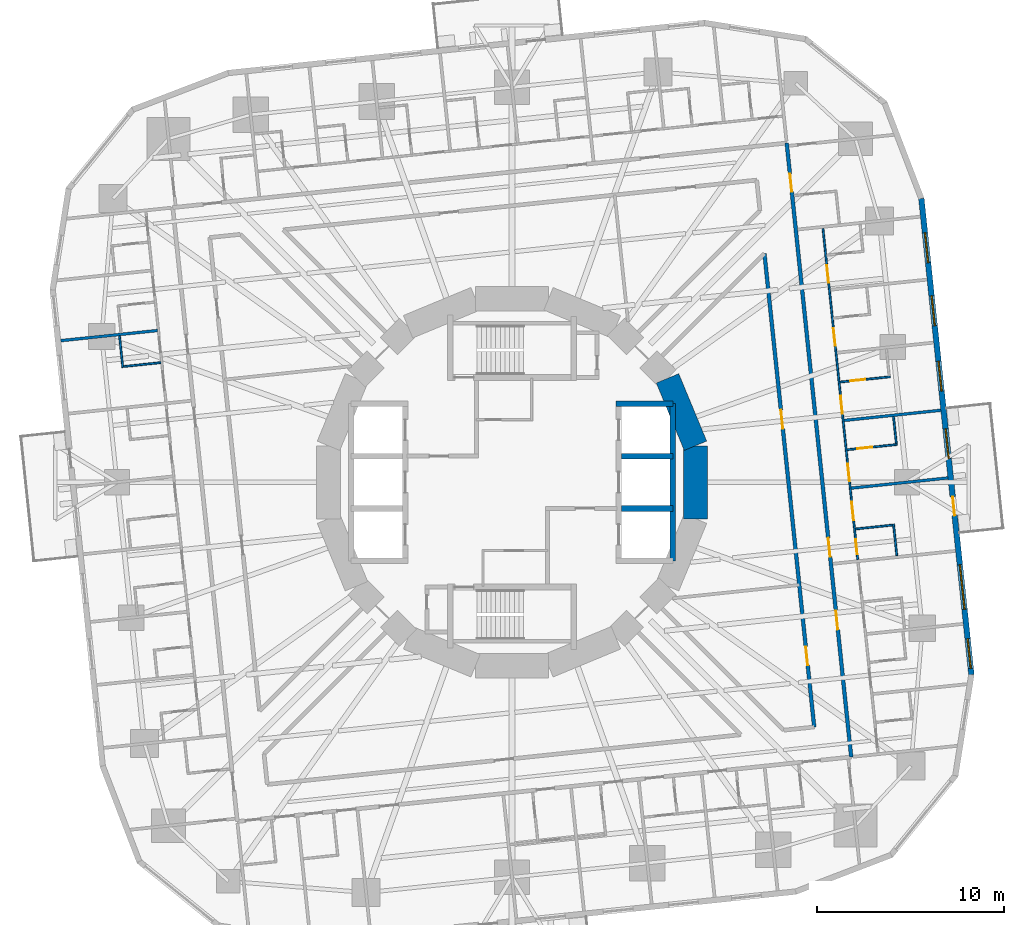
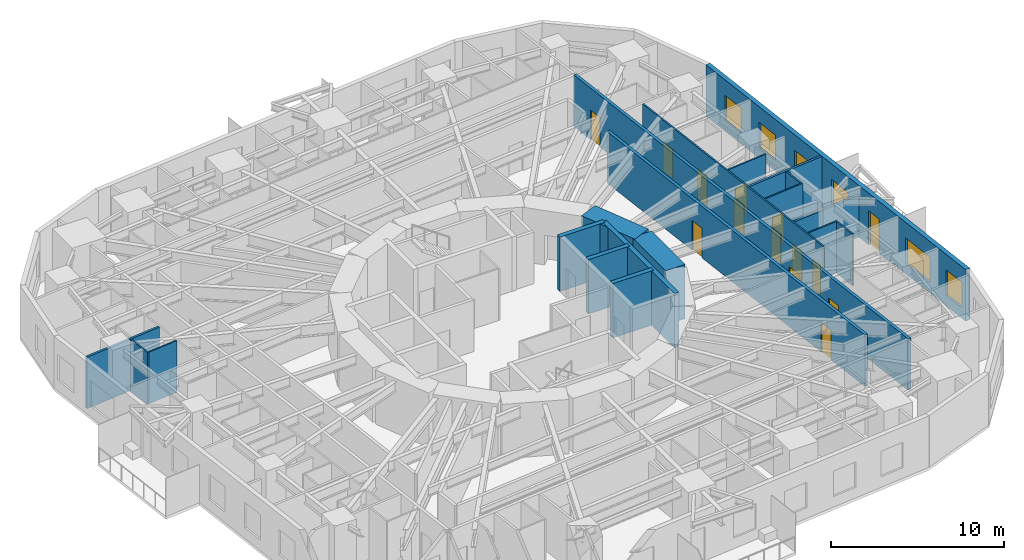
# One storey, part 9 of 15: 20 walls, 14 doors, 6 windows, 20 openings.
"""IFC4 building model written with IfcOpenShell, lengths in metres."""

from ifc_helpers import new_model, si_unit, direction, frame, frame_2d, origin, place, context, subcontext, project, spatial, rectangle, extrude, material, layer, layer_set, type_object, element, fill, save


model = new_model("IFC4")

# Units and contexts
model_context = context("Model", 3, precision=1e-05, world=origin(), true_north=direction((0.0, 1.0)))
body_context = subcontext(model_context, "Body", "Model", "MODEL_VIEW")
ifc_project = project(units=[si_unit("LENGTHUNIT", "METRE"), si_unit("AREAUNIT", "SQUARE_METRE"), si_unit("VOLUMEUNIT", "CUBIC_METRE"), si_unit("PLANEANGLEUNIT", "RADIAN"), si_unit("MASSUNIT", "GRAM", prefix="KILO")], contexts=[model_context])

# Site, building, storey
site_placement = place(None, origin())
site = spatial("IfcSite", under=ifc_project, at=site_placement, CompositionType="ELEMENT")
building_placement = place(site_placement, origin())
building = spatial("IfcBuilding", under=site, at=building_placement, Name="Nakasero Lantern House", CompositionType="ELEMENT")
storey_placement = place(building_placement, frame((0.0, 0.0, 72.050048828125)))
storey = spatial("IfcBuildingStorey", under=building, at=storey_placement, Name="L17", CompositionType="ELEMENT", Elevation=72.050048828125)

# Wall, openings, doors
ifc_material_1 = material(Name="Blockwork", Category="masonry")
ifc_layer_1 = layer(ifc_material_1, 0.10009765625)
ifc_layer_set_1 = layer_set([ifc_layer_1], Name="Cluster hall wall 100")
wall_type_1 = type_object("IfcWallType", Name="Cluster hall wall 100", PredefinedType="PARTITIONING", material=ifc_layer_set_1)
wall_1_placement = place(storey_placement, frame((18.484375, -4.143798828125, 0.0), z_axis=(0.0, 0.0, 1.0), x_axis=(-0.104524313484, 0.994522331519, 0.0)))
wall_1 = element("IfcWall", 1, at=wall_1_placement, inside=storey, type_object=wall_type_1, Name="Cluster hall wall L17 HW0-1", PredefinedType="PARTITIONING", context=body_context, shape_type="SweptSolid", body=[
    extrude(rectangle(XDim=17.8193359375, YDim=0.10009765625, at=frame_2d((8.90966796875, 0.0))), origin(), (0.0, 0.0, 1.0), 3.64990234375),
])
opening_1_placement = place(wall_1_placement, frame((2.125, 0.0, 0.0)))
opening_1 = element("IfcOpeningElement", 2, at=opening_1_placement, cuts=wall_1, Name="Opening D03", PredefinedType="OPENING", context=body_context, shape_type="SweptSolid", body=[
    extrude(rectangle(XDim=1.0, YDim=2.10009765625, at=frame_2d((0.5, 1.050048828125))), frame((0.0, 0.070068359375, 0.0), z_axis=(0.0, -1.0, 0.0), x_axis=(1.0, 0.0, 0.0)), (0.0, 0.0, 1.0), 0.14013671875),
])
opening_2_placement = place(wall_1_placement, frame((0.300048828125, 0.0, 0.0)))
opening_2 = element("IfcOpeningElement", 3, at=opening_2_placement, cuts=wall_1, Name="Opening D02", PredefinedType="OPENING", context=body_context, shape_type="SweptSolid", body=[
    extrude(rectangle(XDim=0.800048828125, YDim=2.10009765625, at=frame_2d((0.39990234375, 1.050048828125))), frame((0.0, 0.070068359375, 0.0), z_axis=(0.0, -1.0, 0.0), x_axis=(1.0, 0.0, 0.0)), (0.0, 0.0, 1.0), 0.14013671875),
])
opening_3_placement = place(wall_1_placement, frame((4.22119140625, 0.0, 0.0)))
opening_3 = element("IfcOpeningElement", 4, at=opening_3_placement, cuts=wall_1, Name="Opening D01", PredefinedType="OPENING", context=body_context, shape_type="SweptSolid", body=[
    extrude(rectangle(XDim=0.949951171875, YDim=2.10009765625, at=frame_2d((0.47509765625, 1.050048828125))), frame((0.0, 0.070068359375, 0.0), z_axis=(0.0, -1.0, 0.0), x_axis=(1.0, 0.0, 0.0)), (0.0, 0.0, 1.0), 0.14013671875),
])
opening_4_placement = place(wall_1_placement, frame((7.859619140625, 0.0, 0.0)))
opening_4 = element("IfcOpeningElement", 5, at=opening_4_placement, cuts=wall_1, Name="Opening D01", PredefinedType="OPENING", context=body_context, shape_type="SweptSolid", body=[
    extrude(rectangle(XDim=0.949951171875, YDim=2.10009765625, at=frame_2d((0.47509765625, 1.050048828125))), frame((0.0, 0.070068359375, 0.0), z_axis=(0.0, -1.0, 0.0), x_axis=(1.0, 0.0, 0.0)), (0.0, 0.0, 1.0), 0.14013671875),
])
opening_5_placement = place(wall_1_placement, frame((11.498291015625, 0.0, 0.0)))
opening_5 = element("IfcOpeningElement", 6, at=opening_5_placement, cuts=wall_1, Name="Opening D01", PredefinedType="OPENING", context=body_context, shape_type="SweptSolid", body=[
    extrude(rectangle(XDim=0.949951171875, YDim=2.10009765625, at=frame_2d((0.47509765625, 1.050048828125))), frame((0.0, 0.070068359375, 0.0), z_axis=(0.0, -1.0, 0.0), x_axis=(1.0, 0.0, 0.0)), (0.0, 0.0, 1.0), 0.14013671875),
])
opening_6_placement = place(wall_1_placement, frame((14.8837890625, 0.0, 0.0)))
opening_6 = element("IfcOpeningElement", 7, at=opening_6_placement, cuts=wall_1, Name="Opening D01", PredefinedType="OPENING", context=body_context, shape_type="SweptSolid", body=[
    extrude(rectangle(XDim=0.949951171875, YDim=2.10009765625, at=frame_2d((0.47509765625, 1.050048828125))), frame((0.0, 0.070068359375, 0.0), z_axis=(0.0, -1.0, 0.0), x_axis=(1.0, 0.0, 0.0)), (0.0, 0.0, 1.0), 0.14013671875),
])
ifc_material_2 = material(Name="Timber C24", Category="wood")
door_type_1 = type_object("IfcDoorType", Name="Bedroom door FD30S 950", OperationType="SINGLE_SWING_LEFT", PredefinedType="DOOR", material=ifc_material_2)
door_1_placement = place(opening_3_placement, origin())
door_1 = element("IfcDoor", 8, at=door_1_placement, inside=storey, type_object=door_type_1, Name="Door L17 D0-04", OperationType="SINGLE_SWING_LEFT", OverallHeight=2.10009765625, OverallWidth=0.949951171875, PredefinedType="DOOR", context=body_context, shape_type="SweptSolid", body=[
    extrude(rectangle(XDim=0.949951171875, YDim=2.10009765625, at=frame_2d((0.47509765625, 1.050048828125))), frame((0.0, 0.02490234375, 0.0), z_axis=(0.0, -1.0, 0.0), x_axis=(1.0, 0.0, 0.0)), (0.0, 0.0, 1.0), 0.050048828125),
])
fill(opening_3, door_1)
door_2_placement = place(opening_4_placement, origin())
door_2 = element("IfcDoor", 9, at=door_2_placement, inside=storey, type_object=door_type_1, Name="Door L17 D0-05", OperationType="SINGLE_SWING_LEFT", OverallHeight=2.10009765625, OverallWidth=0.949951171875, PredefinedType="DOOR", context=body_context, shape_type="SweptSolid", body=[
    extrude(rectangle(XDim=0.949951171875, YDim=2.10009765625, at=frame_2d((0.47509765625, 1.050048828125))), frame((0.0, 0.02490234375, 0.0), z_axis=(0.0, -1.0, 0.0), x_axis=(1.0, 0.0, 0.0)), (0.0, 0.0, 1.0), 0.050048828125),
])
fill(opening_4, door_2)
door_3_placement = place(opening_5_placement, origin())
door_3 = element("IfcDoor", 10, at=door_3_placement, inside=storey, type_object=door_type_1, Name="Door L17 D0-06", OperationType="SINGLE_SWING_RIGHT", OverallHeight=2.10009765625, OverallWidth=0.949951171875, PredefinedType="DOOR", context=body_context, shape_type="SweptSolid", body=[
    extrude(rectangle(XDim=0.949951171875, YDim=2.10009765625, at=frame_2d((0.47509765625, 1.050048828125))), frame((0.0, 0.02490234375, 0.0), z_axis=(0.0, -1.0, 0.0), x_axis=(1.0, 0.0, 0.0)), (0.0, 0.0, 1.0), 0.050048828125),
])
fill(opening_5, door_3)
door_4_placement = place(opening_6_placement, origin())
door_4 = element("IfcDoor", 11, at=door_4_placement, inside=storey, type_object=door_type_1, Name="Door L17 D0-07", OperationType="SINGLE_SWING_RIGHT", OverallHeight=2.10009765625, OverallWidth=0.949951171875, PredefinedType="DOOR", context=body_context, shape_type="SweptSolid", body=[
    extrude(rectangle(XDim=0.949951171875, YDim=2.10009765625, at=frame_2d((0.47509765625, 1.050048828125))), frame((0.0, 0.02490234375, 0.0), z_axis=(0.0, -1.0, 0.0), x_axis=(1.0, 0.0, 0.0)), (0.0, 0.0, 1.0), 0.050048828125),
])
fill(opening_6, door_4)
ifc_material_3 = material(Name="Timber C24", Category="wood")
door_type_2 = type_object("IfcDoorType", Name="En-suite door 800", OperationType="SINGLE_SWING_RIGHT", PredefinedType="DOOR", material=ifc_material_3)
door_5_placement = place(opening_2_placement, origin())
door_5 = element("IfcDoor", 12, at=door_5_placement, inside=storey, type_object=door_type_2, Name="Door L17 DSH0-1", OperationType="SINGLE_SWING_LEFT", OverallHeight=2.10009765625, OverallWidth=0.800048828125, PredefinedType="DOOR", context=body_context, shape_type="SweptSolid", body=[
    extrude(rectangle(XDim=0.800048828125, YDim=2.10009765625, at=frame_2d((0.39990234375, 1.050048828125))), frame((0.0, 0.02490234375, 0.0), z_axis=(0.0, -1.0, 0.0), x_axis=(1.0, 0.0, 0.0)), (0.0, 0.0, 1.0), 0.050048828125),
])
fill(opening_2, door_5)
ifc_material_4 = material(Name="Timber C24", Category="wood")
door_type_3 = type_object("IfcDoorType", Name="Lounge door FD30S 1000", OperationType="SINGLE_SWING_LEFT", PredefinedType="DOOR", material=ifc_material_4)
door_6_placement = place(opening_1_placement, origin())
door_6 = element("IfcDoor", 13, at=door_6_placement, inside=storey, type_object=door_type_3, Name="Door L17 DH0-1", OperationType="SINGLE_SWING_LEFT", OverallHeight=2.10009765625, OverallWidth=1.0, PredefinedType="DOOR", context=body_context, shape_type="SweptSolid", body=[
    extrude(rectangle(XDim=1.0, YDim=2.10009765625, at=frame_2d((0.5, 1.050048828125))), frame((0.0, 0.02490234375, 0.0), z_axis=(0.0, -1.0, 0.0), x_axis=(1.0, 0.0, 0.0)), (0.0, 0.0, 1.0), 0.050048828125),
])
fill(opening_1, door_6)

# Walls
ifc_material_5 = material(Name="Concrete C50/60", Category="concrete")
ifc_layer_2 = layer(ifc_material_5, 0.300048828125)
ifc_layer_set_2 = layer_set([ifc_layer_2], Name="Core inner wall 300")
wall_type_2 = type_object("IfcWallType", Name="Core inner wall 300", PredefinedType="SHEAR", material=ifc_layer_set_2)
wall_2_placement = place(storey_placement, frame((5.550048828125, 4.199951171875, 0.0), z_axis=(0.0, 0.0, 1.0), x_axis=(1.0, 0.0, 0.0)))
element("IfcWall", 14, at=wall_2_placement, inside=storey, type_object=wall_type_2, Name="Core inner wall L17 LEN", PredefinedType="SHEAR", context=body_context, shape_type="SweptSolid", body=[
    extrude(rectangle(XDim=3.050048828125, YDim=0.300048828125, at=frame_2d((1.52490234375, 0.0))), origin(), (0.0, 0.0, 1.0), 3.849853515625),
])
wall_3_placement = place(storey_placement, frame((8.60009765625, -4.199951171875, 0.0), z_axis=(0.0, 0.0, 1.0), x_axis=(0.0, 1.0, 0.0)))
element("IfcWall", 15, at=wall_3_placement, inside=storey, type_object=wall_type_2, Name="Core inner wall L17 LEB", PredefinedType="SHEAR", context=body_context, shape_type="SweptSolid", body=[
    extrude(rectangle(XDim=8.39990234375, YDim=0.300048828125, at=frame_2d((4.199951171875, 0.0))), origin(), (0.0, 0.0, 1.0), 3.849853515625),
])
for number, where, z_axis, x_axis, name in (
    (16, (5.85009765625, -1.39990234375, 0.0), (0.0, 0.0, 1.0), (1.0, 0.0, 0.0), "Core inner wall L17 LE1"),
    (17, (5.85009765625, 1.39990234375, 0.0), (0.0, 0.0, 1.0), (1.0, 0.0, 0.0), "Core inner wall L17 LE2"),
):
    element("IfcWall", number, at=place(storey_placement, frame(where, z_axis=z_axis, x_axis=x_axis)), inside=storey, type_object=wall_type_2, Name=name, PredefinedType="SHEAR", context=body_context, shape_type="SweptSolid", body=[
        extrude(rectangle(XDim=2.75, YDim=0.300048828125, at=frame_2d((1.375, 0.0))), origin(), (0.0, 0.0, 1.0), 3.849853515625),
    ])
ifc_material_6 = material(Name="Concrete C50/60", Category="concrete")
ifc_layer_3 = layer(ifc_material_6, 1.300048828125)
ifc_layer_set_3 = layer_set([ifc_layer_3], Name="Core wall 1300")
wall_type_3 = type_object("IfcWallType", Name="Core wall 1300", PredefinedType="SHEAR", material=ifc_layer_set_3)
for number, where, z_axis, x_axis, name in (
    (18, (9.807861328125, 1.950927734375, 0.0), (0.0, 0.0, 1.0), (-0.382690736062, 0.923876507187, 0.0), "Core wall L17 facet 1"),
    (19, (9.807861328125, -1.950927734375, 0.0), (0.0, 0.0, 1.0), (0.0, 1.0, 0.0), "Core wall L17 facet 16"),
):
    element("IfcWall", number, at=place(storey_placement, frame(where, z_axis=z_axis, x_axis=x_axis)), inside=storey, type_object=wall_type_3, Name=name, PredefinedType="SHEAR", context=body_context, shape_type="SweptSolid", body=[
        extrude(rectangle(XDim=3.90185546875, YDim=1.300048828125, at=frame_2d((1.950927734375, 0.0))), origin(), (0.0, 0.0, 1.0), 3.849853515625),
    ])

# Wall, openings, doors
ifc_material_7 = material(Name="Blockwork", Category="masonry")
ifc_layer_4 = layer(ifc_material_7, 0.199951171875)
ifc_layer_set_4 = layer_set([ifc_layer_4], Name="Corridor wall 200")
wall_type_4 = type_object("IfcWallType", Name="Corridor wall 200", PredefinedType="PARTITIONING", material=ifc_layer_set_4)
wall_4_placement = place(storey_placement, frame((18.13427734375, -14.684814453125, 0.0), z_axis=(0.0, 0.0, 1.0), x_axis=(-0.10452958258, 0.994521777723, 0.0)))
wall_4 = element("IfcWall", 20, at=wall_4_placement, inside=storey, type_object=wall_type_4, Name="Corridor wall L17 CW0", PredefinedType="PARTITIONING", context=body_context, shape_type="SweptSolid", body=[
    extrude(rectangle(XDim=32.999755859375, YDim=0.199951171875, at=frame_2d((16.5, 0.0))), origin(), (0.0, 0.0, 1.0), 3.64990234375),
])
opening_7_placement = place(wall_4_placement, frame((6.8505859375, 0.0, 0.0)))
opening_7 = element("IfcOpeningElement", 21, at=opening_7_placement, cuts=wall_4, Name="Opening D14", PredefinedType="OPENING", context=body_context, shape_type="SweptSolid", body=[
    extrude(rectangle(XDim=1.0, YDim=2.10009765625, at=frame_2d((0.5, 1.050048828125))), frame((0.0, 0.119873046875, 0.0), z_axis=(0.0, -1.0, 0.0), x_axis=(1.0, 0.0, 0.0)), (0.0, 0.0, 1.0), 0.239990234375),
])
opening_8_placement = place(wall_4_placement, frame((10.771728515625, 0.0, 0.0)))
opening_8 = element("IfcOpeningElement", 22, at=opening_8_placement, cuts=wall_4, Name="Opening D14", PredefinedType="OPENING", context=body_context, shape_type="SweptSolid", body=[
    extrude(rectangle(XDim=1.0, YDim=2.10009765625, at=frame_2d((0.5, 1.050048828125))), frame((0.0, 0.119873046875, 0.0), z_axis=(0.0, -1.0, 0.0), x_axis=(1.0, 0.0, 0.0)), (0.0, 0.0, 1.0), 0.239990234375),
])
opening_9_placement = place(wall_4_placement, frame((30.39111328125, 0.0, 0.0)))
opening_9 = element("IfcOpeningElement", 23, at=opening_9_placement, cuts=wall_4, Name="Opening D01", PredefinedType="OPENING", context=body_context, shape_type="SweptSolid", body=[
    extrude(rectangle(XDim=0.949951171875, YDim=2.10009765625, at=frame_2d((0.47509765625, 1.050048828125))), frame((0.0, 0.119873046875, 0.0), z_axis=(0.0, -1.0, 0.0), x_axis=(1.0, 0.0, 0.0)), (0.0, 0.0, 1.0), 0.239990234375),
])
door_7_placement = place(opening_9_placement, origin())
door_7 = element("IfcDoor", 24, at=door_7_placement, inside=storey, type_object=door_type_1, Name="Door L17 D0-08", OperationType="SINGLE_SWING_RIGHT", OverallHeight=2.10009765625, OverallWidth=0.949951171875, PredefinedType="DOOR", context=body_context, shape_type="SweptSolid", body=[
    extrude(rectangle(XDim=0.949951171875, YDim=2.10009765625, at=frame_2d((0.47509765625, 1.050048828125))), frame((0.0, 0.02490234375, 0.0), z_axis=(0.0, -1.0, 0.0), x_axis=(1.0, 0.0, 0.0)), (0.0, 0.0, 1.0), 0.050048828125),
])
fill(opening_9, door_7)
ifc_material_8 = material(Name="Timber C24", Category="wood")
door_type_4 = type_object("IfcDoorType", Name="Cluster entrance door FD30S 1000", OperationType="SINGLE_SWING_LEFT", PredefinedType="DOOR", material=ifc_material_8)
door_8_placement = place(opening_7_placement, origin())
door_8 = element("IfcDoor", 25, at=door_8_placement, inside=storey, type_object=door_type_4, Name="Door L17 DF0-0", OperationType="SINGLE_SWING_LEFT", OverallHeight=2.10009765625, OverallWidth=1.0, PredefinedType="DOOR", context=body_context, shape_type="SweptSolid", body=[
    extrude(rectangle(XDim=1.0, YDim=2.10009765625, at=frame_2d((0.5, 1.050048828125))), frame((0.0, 0.02490234375, 0.0), z_axis=(0.0, -1.0, 0.0), x_axis=(1.0, 0.0, 0.0)), (0.0, 0.0, 1.0), 0.050048828125),
])
fill(opening_7, door_8)
door_9_placement = place(opening_8_placement, origin())
door_9 = element("IfcDoor", 26, at=door_9_placement, inside=storey, type_object=door_type_4, Name="Door L17 DF0-1", OperationType="SINGLE_SWING_LEFT", OverallHeight=2.10009765625, OverallWidth=1.0, PredefinedType="DOOR", context=body_context, shape_type="SweptSolid", body=[
    extrude(rectangle(XDim=1.0, YDim=2.10009765625, at=frame_2d((0.5, 1.050048828125))), frame((0.0, 0.02490234375, 0.0), z_axis=(0.0, -1.0, 0.0), x_axis=(1.0, 0.0, 0.0)), (0.0, 0.0, 1.0), 0.050048828125),
])
fill(opening_8, door_9)

wall_5_placement = place(storey_placement, frame((16.156005859375, -13.0830078125, 0.0), z_axis=(0.0, 0.0, 1.0), x_axis=(-0.104522963916, 0.994522473358, 0.0)))
wall_5 = element("IfcWall", 27, at=wall_5_placement, inside=storey, type_object=wall_type_4, Name="Corridor wall L17 IW0-0", PredefinedType="PARTITIONING", context=body_context, shape_type="SweptSolid", body=[
    extrude(rectangle(XDim=25.44580078125, YDim=0.199951171875, at=frame_2d((12.722900390625, 0.0))), origin(), (0.0, 0.0, 1.0), 3.64990234375),
])
opening_10_placement = place(wall_5_placement, frame((3.31689453125, 0.0, 0.0)))
opening_10 = element("IfcOpeningElement", 28, at=opening_10_placement, cuts=wall_5, Name="Opening D07", PredefinedType="OPENING", context=body_context, shape_type="SweptSolid", body=[
    extrude(rectangle(XDim=1.0, YDim=2.10009765625, at=frame_2d((0.5, 1.050048828125))), frame((0.0, 0.119873046875, 0.0), z_axis=(0.0, -1.0, 0.0), x_axis=(1.0, 0.0, 0.0)), (0.0, 0.0, 1.0), 0.239990234375),
])
opening_11_placement = place(wall_5_placement, frame((16.039794921875, 0.0, 0.0)))
opening_11 = element("IfcOpeningElement", 29, at=opening_11_placement, cuts=wall_5, Name="Opening D07", PredefinedType="OPENING", context=body_context, shape_type="SweptSolid", body=[
    extrude(rectangle(XDim=1.0, YDim=2.10009765625, at=frame_2d((0.5, 1.050048828125))), frame((0.0, 0.119873046875, 0.0), z_axis=(0.0, -1.0, 0.0), x_axis=(1.0, 0.0, 0.0)), (0.0, 0.0, 1.0), 0.239990234375),
])
ifc_material_9 = material(Name="Timber C24", Category="wood")
door_type_5 = type_object("IfcDoorType", Name="Room door FD30S 1000", OperationType="SINGLE_SWING_LEFT", PredefinedType="DOOR", material=ifc_material_9)
door_10_placement = place(opening_10_placement, origin())
door_10 = element("IfcDoor", 30, at=door_10_placement, inside=storey, type_object=door_type_5, Name="Door L17 DI1", OperationType="SINGLE_SWING_LEFT", OverallHeight=2.10009765625, OverallWidth=1.0, PredefinedType="DOOR", context=body_context, shape_type="SweptSolid", body=[
    extrude(rectangle(XDim=1.0, YDim=2.10009765625, at=frame_2d((0.5, 1.050048828125))), frame((0.0, 0.02490234375, 0.0), z_axis=(0.0, -1.0, 0.0), x_axis=(1.0, 0.0, 0.0)), (0.0, 0.0, 1.0), 0.050048828125),
])
fill(opening_10, door_10)
door_11_placement = place(opening_11_placement, origin())
door_11 = element("IfcDoor", 31, at=door_11_placement, inside=storey, type_object=door_type_5, Name="Door L17 DI1S", OperationType="SINGLE_SWING_RIGHT", OverallHeight=2.10009765625, OverallWidth=1.0, PredefinedType="DOOR", context=body_context, shape_type="SweptSolid", body=[
    extrude(rectangle(XDim=1.0, YDim=2.10009765625, at=frame_2d((0.5, 1.050048828125))), frame((0.0, 0.02490234375, 0.0), z_axis=(0.0, -1.0, 0.0), x_axis=(1.0, 0.0, 0.0)), (0.0, 0.0, 1.0), 0.050048828125),
])
fill(opening_11, door_11)

# Walls
ifc_material_10 = material(Name="Blockwork", Category="masonry")
ifc_layer_5 = layer(ifc_material_10, 0.10009765625)
ifc_layer_set_5 = layer_set([ifc_layer_5], Name="En-suite wall 100")
wall_type_5 = type_object("IfcWallType", Name="En-suite wall 100", PredefinedType="PARTITIONING", material=ifc_layer_set_5)
wall_6_placement = place(storey_placement, frame((18.361572265625, -2.49755859375, 0.0), z_axis=(0.0, 0.0, 1.0), x_axis=(0.994523910136, 0.104509292252, 0.0)))
element("IfcWall", 32, at=wall_6_placement, inside=storey, type_object=wall_type_5, Name="En-suite wall L17 SS0-1", PredefinedType="PARTITIONING", context=body_context, shape_type="SweptSolid", body=[
    extrude(rectangle(XDim=2.10009765625, YDim=0.10009765625, at=frame_2d((1.050048828125, 0.0))), origin(), (0.0, 0.0, 1.0), 3.64990234375),
])
wall_7_placement = place(storey_placement, frame((20.572998046875, -3.92431640625, 0.0), z_axis=(0.0, 0.0, 1.0), x_axis=(-0.104550220202, 0.994519608382, 0.0)))
element("IfcWall", 33, at=wall_7_placement, inside=storey, type_object=wall_type_5, Name="En-suite wall L17 SE0-1", PredefinedType="PARTITIONING", context=body_context, shape_type="SweptSolid", body=[
    extrude(rectangle(XDim=1.699951171875, YDim=0.10009765625, at=frame_2d((0.85009765625, 0.0))), origin(), (0.0, 0.0, 1.0), 3.64990234375),
])

# Wall, opening, door
wall_8_placement = place(storey_placement, frame((17.91650390625, 1.73876953125, 0.0), z_axis=(0.0, 0.0, 1.0), x_axis=(0.994521297289, 0.104534153452, 0.0)))
wall_8 = element("IfcWall", 34, at=wall_8_placement, inside=storey, type_object=wall_type_5, Name="En-suite wall L17 ES0-04", PredefinedType="PARTITIONING", context=body_context, shape_type="SweptSolid", body=[
    extrude(rectangle(XDim=2.699951171875, YDim=0.10009765625, at=frame_2d((1.35009765625, 0.0))), origin(), (0.0, 0.0, 1.0), 3.64990234375),
])
opening_12_placement = place(wall_8_placement, frame((0.550048828125, 0.0, 0.0)))
opening_12 = element("IfcOpeningElement", 35, at=opening_12_placement, cuts=wall_8, Name="Opening D02", PredefinedType="OPENING", context=body_context, shape_type="SweptSolid", body=[
    extrude(rectangle(XDim=0.800048828125, YDim=2.10009765625, at=frame_2d((0.39990234375, 1.050048828125))), frame((0.0, 0.070068359375, 0.0), z_axis=(0.0, -1.0, 0.0), x_axis=(1.0, 0.0, 0.0)), (0.0, 0.0, 1.0), 0.14013671875),
])
door_12_placement = place(opening_12_placement, origin())
door_12 = element("IfcDoor", 36, at=door_12_placement, inside=storey, type_object=door_type_2, Name="Door L17 DE0-04", OperationType="SINGLE_SWING_LEFT", OverallHeight=2.10009765625, OverallWidth=0.800048828125, PredefinedType="DOOR", context=body_context, shape_type="SweptSolid", body=[
    extrude(rectangle(XDim=0.800048828125, YDim=2.10009765625, at=frame_2d((0.39990234375, 1.050048828125))), frame((0.0, 0.02490234375, 0.0), z_axis=(0.0, -1.0, 0.0), x_axis=(1.0, 0.0, 0.0)), (0.0, 0.0, 1.0), 0.050048828125),
])
fill(opening_12, door_12)

# Wall
wall_9_placement = place(storey_placement, frame((20.546630859375, 2.0654296875, 0.0), z_axis=(0.0, 0.0, 1.0), x_axis=(-0.10455332221, 0.994519282274, 0.0)))
element("IfcWall", 37, at=wall_9_placement, inside=storey, type_object=wall_type_5, Name="En-suite wall L17 EE0-04", PredefinedType="PARTITIONING", context=body_context, shape_type="SweptSolid", body=[
    extrude(rectangle(XDim=1.4501953125, YDim=0.10009765625, at=frame_2d((0.72509765625, 0.0))), origin(), (0.0, 0.0, 1.0), 3.64990234375),
])

# Wall, opening, door
wall_10_placement = place(storey_placement, frame((17.5361328125, 5.357421875, 0.0), z_axis=(0.0, 0.0, 1.0), x_axis=(0.994521297289, 0.104534153452, 0.0)))
wall_10 = element("IfcWall", 38, at=wall_10_placement, inside=storey, type_object=wall_type_5, Name="En-suite wall L17 ES0-05", PredefinedType="PARTITIONING", context=body_context, shape_type="SweptSolid", body=[
    extrude(rectangle(XDim=2.699951171875, YDim=0.10009765625, at=frame_2d((1.35009765625, 0.0))), origin(), (0.0, 0.0, 1.0), 3.64990234375),
])
opening_13_placement = place(wall_10_placement, frame((0.550048828125, 0.0, 0.0)))
opening_13 = element("IfcOpeningElement", 39, at=opening_13_placement, cuts=wall_10, Name="Opening D02", PredefinedType="OPENING", context=body_context, shape_type="SweptSolid", body=[
    extrude(rectangle(XDim=0.800048828125, YDim=2.10009765625, at=frame_2d((0.39990234375, 1.050048828125))), frame((0.0, 0.070068359375, 0.0), z_axis=(0.0, -1.0, 0.0), x_axis=(1.0, 0.0, 0.0)), (0.0, 0.0, 1.0), 0.14013671875),
])
door_13_placement = place(opening_13_placement, origin())
door_13 = element("IfcDoor", 40, at=door_13_placement, inside=storey, type_object=door_type_2, Name="Door L17 DE0-05", OperationType="SINGLE_SWING_LEFT", OverallHeight=2.10009765625, OverallWidth=0.800048828125, PredefinedType="DOOR", context=body_context, shape_type="SweptSolid", body=[
    extrude(rectangle(XDim=0.800048828125, YDim=2.10009765625, at=frame_2d((0.39990234375, 1.050048828125))), frame((0.0, 0.02490234375, 0.0), z_axis=(0.0, -1.0, 0.0), x_axis=(1.0, 0.0, 0.0)), (0.0, 0.0, 1.0), 0.050048828125),
])
fill(opening_13, door_13)

# Walls
wall_11_placement = place(storey_placement, frame((-18.771484375, 6.397216796875, 0.0), z_axis=(0.0, 0.0, 1.0), x_axis=(-0.994523910136, -0.104509292252, 0.0)))
element("IfcWall", 41, at=wall_11_placement, inside=storey, type_object=wall_type_5, Name="En-suite wall L17 SS2-0", PredefinedType="PARTITIONING", context=body_context, shape_type="SweptSolid", body=[
    extrude(rectangle(XDim=2.10009765625, YDim=0.10009765625, at=frame_2d((1.050048828125, 0.0))), origin(), (0.0, 0.0, 1.0), 3.64990234375),
])
wall_12_placement = place(storey_placement, frame((-20.982666015625, 7.823974609375, 0.0), z_axis=(0.0, 0.0, 1.0), x_axis=(0.104408173862, -0.994534530939, 0.0)))
element("IfcWall", 42, at=wall_12_placement, inside=storey, type_object=wall_type_5, Name="En-suite wall L17 SE2-0", PredefinedType="PARTITIONING", context=body_context, shape_type="SweptSolid", body=[
    extrude(rectangle(XDim=1.699951171875, YDim=0.10009765625, at=frame_2d((0.85009765625, 0.0))), origin(), (0.0, 0.0, 1.0), 3.64990234375),
])

# Wall, openings, door, windows
ifc_material_11 = material(Name="Aluminium rainscreen on blockwork", Category="masonry")
ifc_layer_6 = layer(ifc_material_11, 0.300048828125)
ifc_layer_set_6 = layer_set([ifc_layer_6], Name="Facade wall 300")
wall_type_6 = type_object("IfcWallType", Name="Facade wall 300", PredefinedType="SOLIDWALL", material=ifc_layer_set_6)
wall_13_placement = place(storey_placement, frame((24.56005859375, -10.2890625, 0.0), z_axis=(0.0, 0.0, 1.0), x_axis=(-0.104532378096, 0.994521483895, 0.0)))
wall_13 = element("IfcWall", 43, at=wall_13_placement, inside=storey, type_object=wall_type_6, Name="Facade wall L17 FW0S", PredefinedType="SOLIDWALL", context=body_context, shape_type="SweptSolid", body=[
    extrude(rectangle(XDim=25.599853515625, YDim=0.300048828125, at=frame_2d((12.7998046875, 0.0))), origin(), (0.0, 0.0, 1.0), 3.64990234375),
])
opening_14_placement = place(wall_13_placement, frame((0.337890625, 0.0, 0.75)))
opening_14 = element("IfcOpeningElement", 44, at=opening_14_placement, cuts=wall_13, Name="Opening W01", PredefinedType="OPENING", context=body_context, shape_type="SweptSolid", body=[
    extrude(rectangle(XDim=1.60009765625, YDim=1.800048828125, at=frame_2d((0.800048828125, 0.89990234375))), frame((0.0, 0.169921875, 0.0), z_axis=(0.0, -1.0, 0.0), x_axis=(1.0, 0.0, 0.0)), (0.0, 0.0, 1.0), 0.340087890625),
])
opening_15_placement = place(wall_13_placement, frame((11.612060546875, 0.0, 0.75)))
opening_15 = element("IfcOpeningElement", 45, at=opening_15_placement, cuts=wall_13, Name="Opening W01", PredefinedType="OPENING", context=body_context, shape_type="SweptSolid", body=[
    extrude(rectangle(XDim=1.60009765625, YDim=1.800048828125, at=frame_2d((0.800048828125, 0.89990234375))), frame((0.0, 0.169921875, 0.0), z_axis=(0.0, -1.0, 0.0), x_axis=(1.0, 0.0, 0.0)), (0.0, 0.0, 1.0), 0.340087890625),
])
opening_16_placement = place(wall_13_placement, frame((15.250732421875, 0.0, 0.75)))
opening_16 = element("IfcOpeningElement", 46, at=opening_16_placement, cuts=wall_13, Name="Opening W01", PredefinedType="OPENING", context=body_context, shape_type="SweptSolid", body=[
    extrude(rectangle(XDim=1.60009765625, YDim=1.800048828125, at=frame_2d((0.800048828125, 0.89990234375))), frame((0.0, 0.169921875, 0.0), z_axis=(0.0, -1.0, 0.0), x_axis=(1.0, 0.0, 0.0)), (0.0, 0.0, 1.0), 0.340087890625),
])
opening_17_placement = place(wall_13_placement, frame((18.7626953125, 0.0, 0.75)))
opening_17 = element("IfcOpeningElement", 47, at=opening_17_placement, cuts=wall_13, Name="Opening W01", PredefinedType="OPENING", context=body_context, shape_type="SweptSolid", body=[
    extrude(rectangle(XDim=1.60009765625, YDim=1.800048828125, at=frame_2d((0.800048828125, 0.89990234375))), frame((0.0, 0.169921875, 0.0), z_axis=(0.0, -1.0, 0.0), x_axis=(1.0, 0.0, 0.0)), (0.0, 0.0, 1.0), 0.340087890625),
])
opening_18_placement = place(wall_13_placement, frame((22.1484375, 0.0, 0.75)))
opening_18 = element("IfcOpeningElement", 48, at=opening_18_placement, cuts=wall_13, Name="Opening W01", PredefinedType="OPENING", context=body_context, shape_type="SweptSolid", body=[
    extrude(rectangle(XDim=1.60009765625, YDim=1.800048828125, at=frame_2d((0.800048828125, 0.89990234375))), frame((0.0, 0.169921875, 0.0), z_axis=(0.0, -1.0, 0.0), x_axis=(1.0, 0.0, 0.0)), (0.0, 0.0, 1.0), 0.340087890625),
])
opening_19_placement = place(wall_13_placement, frame((3.51123046875, 0.0, 0.75)))
opening_19 = element("IfcOpeningElement", 49, at=opening_19_placement, cuts=wall_13, Name="Opening W03", PredefinedType="OPENING", context=body_context, shape_type="SweptSolid", body=[
    extrude(rectangle(XDim=2.39990234375, YDim=1.800048828125, at=frame_2d((1.199951171875, 0.89990234375))), frame((0.0, 0.169921875, 0.0), z_axis=(0.0, -1.0, 0.0), x_axis=(1.0, 0.0, 0.0)), (0.0, 0.0, 1.0), 0.340087890625),
])
opening_20_placement = place(wall_13_placement, frame((8.558837890625, 0.0, 0.0)))
opening_20 = element("IfcOpeningElement", 50, at=opening_20_placement, cuts=wall_13, Name="Opening D04", PredefinedType="OPENING", context=body_context, shape_type="SweptSolid", body=[
    extrude(rectangle(XDim=1.0, YDim=2.39990234375, at=frame_2d((0.5, 1.199951171875))), frame((0.0, 0.169921875, 0.0), z_axis=(0.0, -1.0, 0.0), x_axis=(1.0, 0.0, 0.0)), (0.0, 0.0, 1.0), 0.340087890625),
])
ifc_material_12 = material(Name="Aluminium 6063-T6 and glass", Category="aluminium")
door_type_6 = type_object("IfcDoorType", Name="Balcony door 1000x2400", OperationType="SINGLE_SWING_RIGHT", PredefinedType="DOOR", material=ifc_material_12)
door_14_placement = place(opening_20_placement, origin())
door_14 = element("IfcDoor", 51, at=door_14_placement, inside=storey, type_object=door_type_6, Name="Balcony door L17 DB0", OperationType="SINGLE_SWING_RIGHT", OverallHeight=2.39990234375, OverallWidth=1.0, PredefinedType="DOOR", context=body_context, shape_type="SweptSolid", body=[
    extrude(rectangle(XDim=1.0, YDim=2.39990234375, at=frame_2d((0.5, 1.199951171875))), frame((0.0, 0.02490234375, 0.0), z_axis=(0.0, -1.0, 0.0), x_axis=(1.0, 0.0, 0.0)), (0.0, 0.0, 1.0), 0.050048828125),
])
fill(opening_20, door_14)
ifc_material_13 = material(Name="Aluminium 6063-T6 and glass", Category="aluminium")
window_type_1 = type_object("IfcWindowType", Name="Bedroom window 1600x1800", PartitioningType="SINGLE_PANEL", PredefinedType="WINDOW", material=ifc_material_13)
window_1_placement = place(opening_14_placement, origin())
window_1 = element("IfcWindow", 52, at=window_1_placement, inside=storey, type_object=window_type_1, Name="Window L17 WN0-01", OverallHeight=1.800048828125, OverallWidth=1.60009765625, PartitioningType="SINGLE_PANEL", PredefinedType="WINDOW", context=body_context, shape_type="SweptSolid", body=[
    extrude(rectangle(XDim=1.60009765625, YDim=1.800048828125, at=frame_2d((0.800048828125, 0.89990234375))), frame((0.0, 0.030029296875, 0.0), z_axis=(0.0, -1.0, 0.0), x_axis=(1.0, 0.0, 0.0)), (0.0, 0.0, 1.0), 0.06005859375),
])
fill(opening_14, window_1)
window_2_placement = place(opening_15_placement, origin())
window_2 = element("IfcWindow", 53, at=window_2_placement, inside=storey, type_object=window_type_1, Name="Window L17 WN0-04", OverallHeight=1.800048828125, OverallWidth=1.60009765625, PartitioningType="SINGLE_PANEL", PredefinedType="WINDOW", context=body_context, shape_type="SweptSolid", body=[
    extrude(rectangle(XDim=1.60009765625, YDim=1.800048828125, at=frame_2d((0.800048828125, 0.89990234375))), frame((0.0, 0.030029296875, 0.0), z_axis=(0.0, -1.0, 0.0), x_axis=(1.0, 0.0, 0.0)), (0.0, 0.0, 1.0), 0.06005859375),
])
fill(opening_15, window_2)
window_3_placement = place(opening_16_placement, origin())
window_3 = element("IfcWindow", 54, at=window_3_placement, inside=storey, type_object=window_type_1, Name="Window L17 WN0-05", OverallHeight=1.800048828125, OverallWidth=1.60009765625, PartitioningType="SINGLE_PANEL", PredefinedType="WINDOW", context=body_context, shape_type="SweptSolid", body=[
    extrude(rectangle(XDim=1.60009765625, YDim=1.800048828125, at=frame_2d((0.800048828125, 0.89990234375))), frame((0.0, 0.030029296875, 0.0), z_axis=(0.0, -1.0, 0.0), x_axis=(1.0, 0.0, 0.0)), (0.0, 0.0, 1.0), 0.06005859375),
])
fill(opening_16, window_3)
window_4_placement = place(opening_17_placement, origin())
window_4 = element("IfcWindow", 55, at=window_4_placement, inside=storey, type_object=window_type_1, Name="Window L17 WN0-06", OverallHeight=1.800048828125, OverallWidth=1.60009765625, PartitioningType="SINGLE_PANEL", PredefinedType="WINDOW", context=body_context, shape_type="SweptSolid", body=[
    extrude(rectangle(XDim=1.60009765625, YDim=1.800048828125, at=frame_2d((0.800048828125, 0.89990234375))), frame((0.0, 0.030029296875, 0.0), z_axis=(0.0, -1.0, 0.0), x_axis=(1.0, 0.0, 0.0)), (0.0, 0.0, 1.0), 0.06005859375),
])
fill(opening_17, window_4)
window_5_placement = place(opening_18_placement, origin())
window_5 = element("IfcWindow", 56, at=window_5_placement, inside=storey, type_object=window_type_1, Name="Window L17 WN0-07", OverallHeight=1.800048828125, OverallWidth=1.60009765625, PartitioningType="SINGLE_PANEL", PredefinedType="WINDOW", context=body_context, shape_type="SweptSolid", body=[
    extrude(rectangle(XDim=1.60009765625, YDim=1.800048828125, at=frame_2d((0.800048828125, 0.89990234375))), frame((0.0, 0.030029296875, 0.0), z_axis=(0.0, -1.0, 0.0), x_axis=(1.0, 0.0, 0.0)), (0.0, 0.0, 1.0), 0.06005859375),
])
fill(opening_18, window_5)
ifc_material_14 = material(Name="Aluminium 6063-T6 and glass", Category="aluminium")
window_type_2 = type_object("IfcWindowType", Name="Lounge window 2400x1800", PartitioningType="SINGLE_PANEL", PredefinedType="WINDOW", material=ifc_material_14)
window_6_placement = place(opening_19_placement, origin())
window_6 = element("IfcWindow", 57, at=window_6_placement, inside=storey, type_object=window_type_2, Name="Window L17 WK0", OverallHeight=1.800048828125, OverallWidth=2.39990234375, PartitioningType="SINGLE_PANEL", PredefinedType="WINDOW", context=body_context, shape_type="SweptSolid", body=[
    extrude(rectangle(XDim=2.39990234375, YDim=1.800048828125, at=frame_2d((1.199951171875, 0.89990234375))), frame((0.0, 0.030029296875, 0.0), z_axis=(0.0, -1.0, 0.0), x_axis=(1.0, 0.0, 0.0)), (0.0, 0.0, 1.0), 0.06005859375),
])
fill(opening_19, window_6)

# Walls
ifc_material_15 = material(Name="Blockwork", Category="masonry")
ifc_layer_7 = layer(ifc_material_15, 0.14990234375)
ifc_layer_set_7 = layer_set([ifc_layer_7], Name="Party wall 150")
wall_type_7 = type_object("IfcWallType", Name="Party wall 150", PredefinedType="PARTITIONING", material=ifc_layer_set_7)
wall_14_placement = place(storey_placement, frame((18.132080078125, -0.3134765625, 0.0), z_axis=(0.0, 0.0, 1.0), x_axis=(0.994523959761, 0.104508820017, 0.0)))
element("IfcWall", 58, at=wall_14_placement, inside=storey, type_object=wall_type_7, Name="Party wall L17 PW0-04", PredefinedType="PARTITIONING", context=body_context, shape_type="SweptSolid", body=[
    extrude(rectangle(XDim=5.2001953125, YDim=0.14990234375, at=frame_2d((2.60009765625, 0.0))), origin(), (0.0, 0.0, 1.0), 2.966552734375),
])
wall_15_placement = place(storey_placement, frame((17.751708984375, 3.30517578125, 0.0), z_axis=(0.0, 0.0, 1.0), x_axis=(0.994523959761, 0.104508820017, 0.0)))
element("IfcWall", 59, at=wall_15_placement, inside=storey, type_object=wall_type_7, Name="Party wall L17 PW0-05", PredefinedType="PARTITIONING", context=body_context, shape_type="SweptSolid", body=[
    extrude(rectangle(XDim=5.2001953125, YDim=0.14990234375, at=frame_2d((2.60009765625, 0.0))), origin(), (0.0, 0.0, 1.0), 3.64990234375),
])
wall_16_placement = place(storey_placement, frame((-18.951904296875, 8.11279296875, 0.0), z_axis=(0.0, 0.0, 1.0), x_axis=(-0.994523446942, -0.104513699976, 0.0)))
element("IfcWall", 60, at=wall_16_placement, inside=storey, type_object=wall_type_7, Name="Party wall L17 PW2-02", PredefinedType="PARTITIONING", context=body_context, shape_type="SweptSolid", body=[
    extrude(rectangle(XDim=5.199951171875, YDim=0.14990234375, at=frame_2d((2.60009765625, 0.0))), origin(), (0.0, 0.0, 1.0), 3.64990234375),
])

save(model, "model.ifc")
